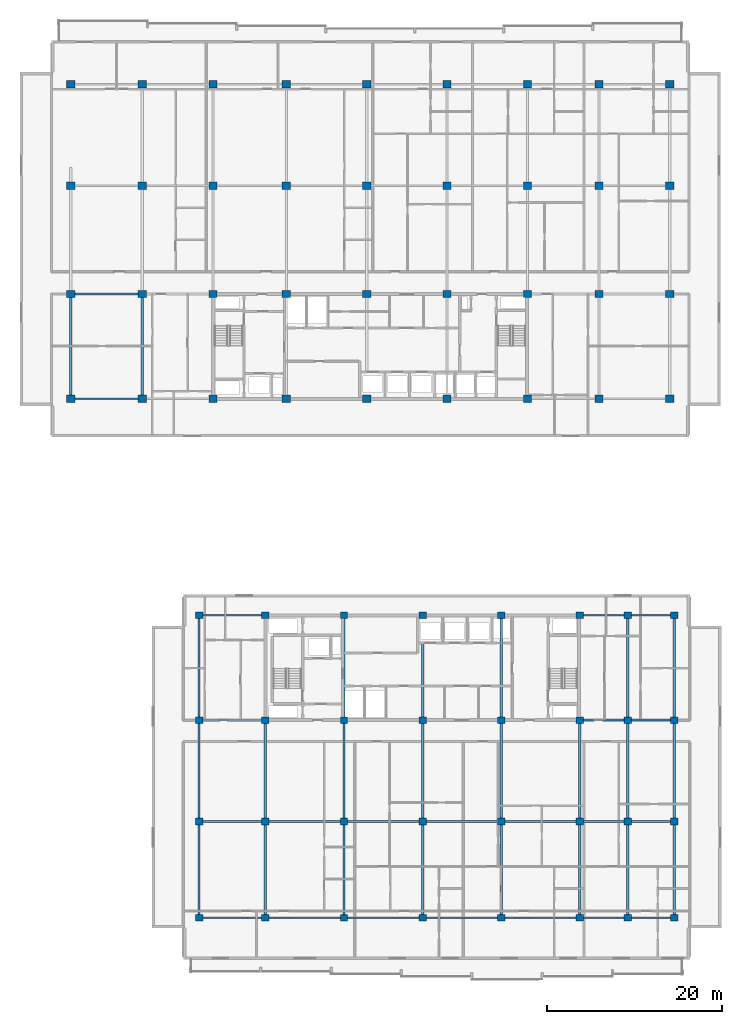
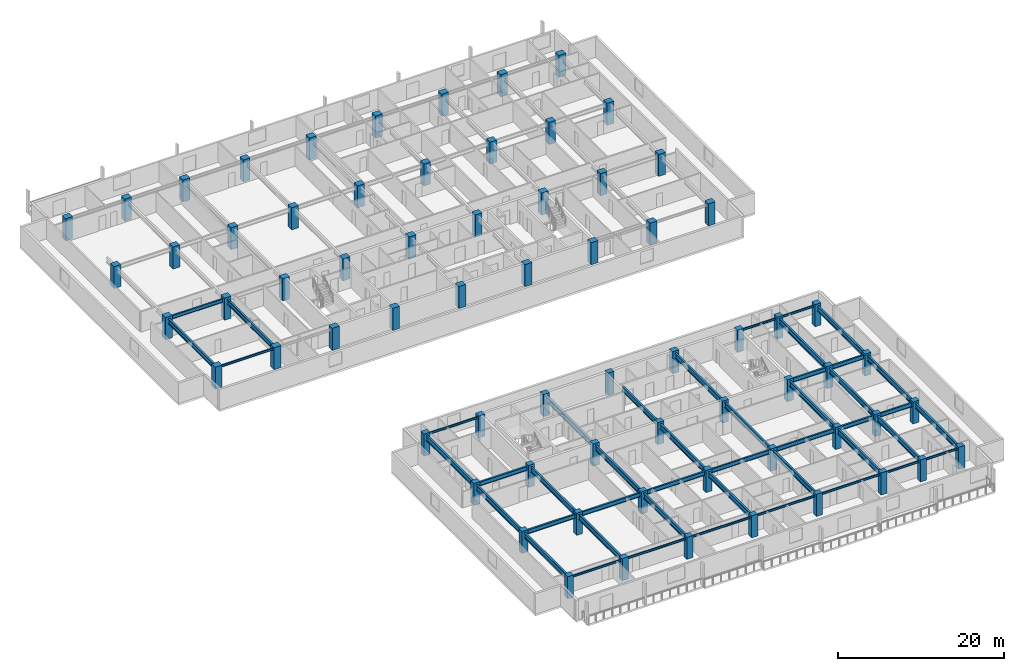
# One storey, part 1 of 21: 68 columns, 46 beams.
"""IFC4 building model written with IfcOpenShell, lengths in metres."""

from ifc_helpers import new_model, si_unit, direction, frame, origin, origin_2d, place, context, subcontext, project, spatial, rectangle, i_section, extrude, material, material_profile, profile_set, type_object, element, save


model = new_model("IFC4")

# Units and contexts
model_context = context("Model", 3, precision=1e-05, world=origin(), true_north=direction((0.0, 1.0)))
body_context = subcontext(model_context, "Body", "Model", "MODEL_VIEW")
ifc_project = project(units=[si_unit("LENGTHUNIT", "METRE"), si_unit("AREAUNIT", "SQUARE_METRE"), si_unit("VOLUMEUNIT", "CUBIC_METRE"), si_unit("PLANEANGLEUNIT", "RADIAN"), si_unit("MASSUNIT", "GRAM", prefix="KILO")], contexts=[model_context])

# Site, building, storey
site_placement = place(None, origin())
site = spatial("IfcSite", under=ifc_project, at=site_placement, CompositionType="ELEMENT")
building_placement = place(site_placement, origin())
building = spatial("IfcBuilding", under=site, at=building_placement, Name="Korimba Cascade Residences", CompositionType="ELEMENT")
storey_placement = place(building_placement, frame((0.0, 0.0, 113.300048828125)))
storey = spatial("IfcBuildingStorey", under=building, at=storey_placement, Name="L32", CompositionType="ELEMENT", Elevation=113.300048828125)

# Columns
ifc_material_1 = material(Name="Concrete C65/80", Category="concrete")
ifc_material_profile_1 = material_profile(ifc_material_1, rectangle(XDim=0.85009765625, YDim=0.75, at=origin_2d()), Name="Concrete C65/80")
ifc_profile_set_1 = profile_set([ifc_material_profile_1], Name="Concrete C65/80")
column_type_1 = type_object("IfcColumnType", Name="COL-RC-850", PredefinedType="COLUMN", material=ifc_profile_set_1)
for number, where, z_axis, x_axis, name in (
    (1, (74.5, -4.199951171875, 0.0), (0.0, 0.0, 1.0), (1.0, 0.0, 0.0), "L32 Tower 2 Column 1.1"),
    (2, (74.5, 6.800048828125, 0.0), (0.0, 0.0, 1.0), (1.0, 0.0, 0.0), "L32 Tower 2 Column 1.2"),
    (3, (74.5, 18.39990234375, 0.0), (0.0, 0.0, 1.0), (1.0, 0.0, 0.0), "L32 Tower 2 Column 1.3"),
    (4, (74.5, 30.39990234375, 0.0), (0.0, 0.0, 1.0), (1.0, 0.0, 0.0), "L32 Tower 2 Column 1.4"),
    (5, (82.10009765625, -4.199951171875, 0.0), (0.0, 0.0, 1.0), (1.0, 0.0, 0.0), "L32 Tower 2 Column 2.1"),
    (6, (82.10009765625, 6.800048828125, 0.0), (0.0, 0.0, 1.0), (1.0, 0.0, 0.0), "L32 Tower 2 Column 2.2"),
    (7, (82.10009765625, 18.39990234375, 0.0), (0.0, 0.0, 1.0), (1.0, 0.0, 0.0), "L32 Tower 2 Column 2.3"),
    (8, (82.10009765625, 30.39990234375, 0.0), (0.0, 0.0, 1.0), (1.0, 0.0, 0.0), "L32 Tower 2 Column 2.4"),
    (9, (91.10009765625, -4.199951171875, 0.0), (0.0, 0.0, 1.0), (1.0, 0.0, 0.0), "L32 Tower 2 Column 3.1"),
    (10, (91.10009765625, 6.800048828125, 0.0), (0.0, 0.0, 1.0), (1.0, 0.0, 0.0), "L32 Tower 2 Column 3.2"),
    (11, (91.10009765625, 18.39990234375, 0.0), (0.0, 0.0, 1.0), (1.0, 0.0, 0.0), "L32 Tower 2 Column 3.3"),
    (12, (91.10009765625, 30.39990234375, 0.0), (0.0, 0.0, 1.0), (1.0, 0.0, 0.0), "L32 Tower 2 Column 3.4"),
    (13, (100.10009765625, -4.199951171875, 0.0), (0.0, 0.0, 1.0), (1.0, 0.0, 0.0), "L32 Tower 2 Column 4.1"),
    (14, (100.10009765625, 6.800048828125, 0.0), (0.0, 0.0, 1.0), (1.0, 0.0, 0.0), "L32 Tower 2 Column 4.2"),
    (15, (100.10009765625, 18.39990234375, 0.0), (0.0, 0.0, 1.0), (1.0, 0.0, 0.0), "L32 Tower 2 Column 4.3"),
    (16, (100.10009765625, 30.39990234375, 0.0), (0.0, 0.0, 1.0), (1.0, 0.0, 0.0), "L32 Tower 2 Column 4.4"),
    (17, (109.10009765625, -4.199951171875, 0.0), (0.0, 0.0, 1.0), (1.0, 0.0, 0.0), "L32 Tower 2 Column 5.1"),
    (18, (109.10009765625, 6.800048828125, 0.0), (0.0, 0.0, 1.0), (1.0, 0.0, 0.0), "L32 Tower 2 Column 5.2"),
    (19, (109.10009765625, 18.39990234375, 0.0), (0.0, 0.0, 1.0), (1.0, 0.0, 0.0), "L32 Tower 2 Column 5.3"),
    (20, (109.10009765625, 30.39990234375, 0.0), (0.0, 0.0, 1.0), (1.0, 0.0, 0.0), "L32 Tower 2 Column 5.4"),
    (21, (118.10009765625, -4.199951171875, 0.0), (0.0, 0.0, 1.0), (1.0, 0.0, 0.0), "L32 Tower 2 Column 6.1"),
    (22, (118.10009765625, 6.800048828125, 0.0), (0.0, 0.0, 1.0), (1.0, 0.0, 0.0), "L32 Tower 2 Column 6.2"),
    (23, (118.10009765625, 18.39990234375, 0.0), (0.0, 0.0, 1.0), (1.0, 0.0, 0.0), "L32 Tower 2 Column 6.3"),
    (24, (118.10009765625, 30.39990234375, 0.0), (0.0, 0.0, 1.0), (1.0, 0.0, 0.0), "L32 Tower 2 Column 6.4"),
    (25, (123.60009765625, -4.199951171875, 0.0), (0.0, 0.0, 1.0), (1.0, 0.0, 0.0), "L32 Tower 2 Column 7.1"),
    (26, (123.60009765625, 6.800048828125, 0.0), (0.0, 0.0, 1.0), (1.0, 0.0, 0.0), "L32 Tower 2 Column 7.2"),
    (27, (123.60009765625, 18.39990234375, 0.0), (0.0, 0.0, 1.0), (1.0, 0.0, 0.0), "L32 Tower 2 Column 7.3"),
    (28, (123.60009765625, 30.39990234375, 0.0), (0.0, 0.0, 1.0), (1.0, 0.0, 0.0), "L32 Tower 2 Column 7.4"),
    (29, (128.89990234375, -4.199951171875, 0.0), (0.0, 0.0, 1.0), (1.0, 0.0, 0.0), "L32 Tower 2 Column 8.1"),
    (30, (128.89990234375, 6.800048828125, 0.0), (0.0, 0.0, 1.0), (1.0, 0.0, 0.0), "L32 Tower 2 Column 8.2"),
    (31, (128.89990234375, 18.39990234375, 0.0), (0.0, 0.0, 1.0), (1.0, 0.0, 0.0), "L32 Tower 2 Column 8.3"),
    (32, (128.89990234375, 30.39990234375, 0.0), (0.0, 0.0, 1.0), (1.0, 0.0, 0.0), "L32 Tower 2 Column 8.4"),
):
    element("IfcColumn", number, at=place(storey_placement, frame(where, z_axis=z_axis, x_axis=x_axis)), inside=storey, type_object=column_type_1, Name=name, PredefinedType="COLUMN", context=body_context, shape_type="SweptSolid", body=[
        extrude(rectangle(XDim=0.85009765625, YDim=0.75, at=origin_2d()), origin(), (0.0, 0.0, 1.0), 3.25),
    ])
ifc_material_profile_2 = material_profile(ifc_material_1, rectangle(XDim=0.949951171875, YDim=0.85009765625, at=origin_2d()), Name="Concrete C65/80")
ifc_profile_set_2 = profile_set([ifc_material_profile_2], Name="Concrete C65/80")
column_type_2 = type_object("IfcColumnType", Name="COL-RC-950", PredefinedType="COLUMN", material=ifc_profile_set_2)
for number, where, z_axis, x_axis, name in (
    (33, (59.800048828125, 55.199951171875, 0.0), (0.0, 0.0, 1.0), (1.0, 0.0, 0.0), "L32 Tower 1 Column 1.1"),
    (34, (59.800048828125, 67.199951171875, 0.0), (0.0, 0.0, 1.0), (1.0, 0.0, 0.0), "L32 Tower 1 Column 1.2"),
    (35, (59.800048828125, 79.60009765625, 0.0), (0.0, 0.0, 1.0), (1.0, 0.0, 0.0), "L32 Tower 1 Column 1.3"),
    (36, (59.800048828125, 91.199951171875, 0.0), (0.0, 0.0, 1.0), (1.0, 0.0, 0.0), "L32 Tower 1 Column 1.4"),
    (37, (68.0, 55.199951171875, 0.0), (0.0, 0.0, 1.0), (1.0, 0.0, 0.0), "L32 Tower 1 Column 2.1"),
    (38, (68.0, 67.199951171875, 0.0), (0.0, 0.0, 1.0), (1.0, 0.0, 0.0), "L32 Tower 1 Column 2.2"),
    (39, (68.0, 79.60009765625, 0.0), (0.0, 0.0, 1.0), (1.0, 0.0, 0.0), "L32 Tower 1 Column 2.3"),
    (40, (68.0, 91.199951171875, 0.0), (0.0, 0.0, 1.0), (1.0, 0.0, 0.0), "L32 Tower 1 Column 2.4"),
    (41, (76.10009765625, 55.199951171875, 0.0), (0.0, 0.0, 1.0), (1.0, 0.0, 0.0), "L32 Tower 1 Column 3.1"),
    (42, (76.10009765625, 67.199951171875, 0.0), (0.0, 0.0, 1.0), (1.0, 0.0, 0.0), "L32 Tower 1 Column 3.2"),
    (43, (76.10009765625, 79.60009765625, 0.0), (0.0, 0.0, 1.0), (1.0, 0.0, 0.0), "L32 Tower 1 Column 3.3"),
    (44, (76.10009765625, 91.199951171875, 0.0), (0.0, 0.0, 1.0), (1.0, 0.0, 0.0), "L32 Tower 1 Column 3.4"),
    (45, (84.5, 55.199951171875, 0.0), (0.0, 0.0, 1.0), (1.0, 0.0, 0.0), "L32 Tower 1 Column 4.1"),
    (46, (84.5, 67.199951171875, 0.0), (0.0, 0.0, 1.0), (1.0, 0.0, 0.0), "L32 Tower 1 Column 4.2"),
    (47, (84.5, 79.60009765625, 0.0), (0.0, 0.0, 1.0), (1.0, 0.0, 0.0), "L32 Tower 1 Column 4.3"),
    (48, (84.5, 91.199951171875, 0.0), (0.0, 0.0, 1.0), (1.0, 0.0, 0.0), "L32 Tower 1 Column 4.4"),
    (49, (93.699951171875, 55.199951171875, 0.0), (0.0, 0.0, 1.0), (1.0, 0.0, 0.0), "L32 Tower 1 Column 5.1"),
    (50, (93.699951171875, 67.199951171875, 0.0), (0.0, 0.0, 1.0), (1.0, 0.0, 0.0), "L32 Tower 1 Column 5.2"),
    (51, (93.699951171875, 79.60009765625, 0.0), (0.0, 0.0, 1.0), (1.0, 0.0, 0.0), "L32 Tower 1 Column 5.3"),
    (52, (93.699951171875, 91.199951171875, 0.0), (0.0, 0.0, 1.0), (1.0, 0.0, 0.0), "L32 Tower 1 Column 5.4"),
    (53, (102.89990234375, 55.199951171875, 0.0), (0.0, 0.0, 1.0), (1.0, 0.0, 0.0), "L32 Tower 1 Column 6.1"),
    (54, (102.89990234375, 67.199951171875, 0.0), (0.0, 0.0, 1.0), (1.0, 0.0, 0.0), "L32 Tower 1 Column 6.2"),
    (55, (102.89990234375, 79.60009765625, 0.0), (0.0, 0.0, 1.0), (1.0, 0.0, 0.0), "L32 Tower 1 Column 6.3"),
    (56, (102.89990234375, 91.199951171875, 0.0), (0.0, 0.0, 1.0), (1.0, 0.0, 0.0), "L32 Tower 1 Column 6.4"),
    (57, (112.10009765625, 55.199951171875, 0.0), (0.0, 0.0, 1.0), (1.0, 0.0, 0.0), "L32 Tower 1 Column 7.1"),
    (58, (112.10009765625, 67.199951171875, 0.0), (0.0, 0.0, 1.0), (1.0, 0.0, 0.0), "L32 Tower 1 Column 7.2"),
    (59, (112.10009765625, 79.60009765625, 0.0), (0.0, 0.0, 1.0), (1.0, 0.0, 0.0), "L32 Tower 1 Column 7.3"),
    (60, (112.10009765625, 91.199951171875, 0.0), (0.0, 0.0, 1.0), (1.0, 0.0, 0.0), "L32 Tower 1 Column 7.4"),
    (61, (120.300048828125, 55.199951171875, 0.0), (0.0, 0.0, 1.0), (1.0, 0.0, 0.0), "L32 Tower 1 Column 8.1"),
    (62, (120.300048828125, 67.199951171875, 0.0), (0.0, 0.0, 1.0), (1.0, 0.0, 0.0), "L32 Tower 1 Column 8.2"),
    (63, (120.300048828125, 79.60009765625, 0.0), (0.0, 0.0, 1.0), (1.0, 0.0, 0.0), "L32 Tower 1 Column 8.3"),
    (64, (120.300048828125, 91.199951171875, 0.0), (0.0, 0.0, 1.0), (1.0, 0.0, 0.0), "L32 Tower 1 Column 8.4"),
    (65, (128.39990234375, 55.199951171875, 0.0), (0.0, 0.0, 1.0), (1.0, 0.0, 0.0), "L32 Tower 1 Column 9.1"),
    (66, (128.39990234375, 67.199951171875, 0.0), (0.0, 0.0, 1.0), (1.0, 0.0, 0.0), "L32 Tower 1 Column 9.2"),
    (67, (128.39990234375, 79.60009765625, 0.0), (0.0, 0.0, 1.0), (1.0, 0.0, 0.0), "L32 Tower 1 Column 9.3"),
    (68, (128.39990234375, 91.199951171875, 0.0), (0.0, 0.0, 1.0), (1.0, 0.0, 0.0), "L32 Tower 1 Column 9.4"),
):
    element("IfcColumn", number, at=place(storey_placement, frame(where, z_axis=z_axis, x_axis=x_axis)), inside=storey, type_object=column_type_2, Name=name, PredefinedType="COLUMN", context=body_context, shape_type="SweptSolid", body=[
        extrude(rectangle(XDim=0.949951171875, YDim=0.85009765625, at=origin_2d()), origin(), (0.0, 0.0, 1.0), 3.25),
    ])

# Beams
ifc_material_2 = material(Name="Steel S355", Category="steel")
ifc_material_profile_3 = material_profile(ifc_material_2, i_section(OverallWidth=0.165771484375, OverallDepth=0.306640625, WebThickness=0.006591796875, FlangeThickness=0.01171875, FilletRadius=0.0087890625, at=origin_2d()), Name="Steel S355")
ifc_profile_set_3 = profile_set([ifc_material_profile_3], Name="Steel S355")
beam_type_1 = type_object("IfcBeamType", Name="BM-STL-UB305", PredefinedType="SPANDREL", material=ifc_profile_set_3)
beam_1_placement = place(storey_placement, frame((60.27490234375, 55.199951171875, 2.816650390625), z_axis=(1.0, 0.0, 0.0), x_axis=(0.0, 1.0, 0.0)))
element("IfcBeam", 69, at=beam_1_placement, inside=storey, type_object=beam_type_1, Name="L32 T1 E-W Girder Y1 Bay 1", PredefinedType="SPANDREL", context=body_context, shape_type="SweptSolid", body=[
    extrude(i_section(OverallWidth=0.165771484375, OverallDepth=0.306640625, WebThickness=0.006591796875, FlangeThickness=0.01171875, FilletRadius=0.0087890625, at=origin_2d()), origin(), (0.0, 0.0, 1.0), 7.25),
])
beam_2_placement = place(storey_placement, frame((74.925048828125, -4.199951171875, 2.816650390625), z_axis=(1.0, 0.0, 0.0), x_axis=(0.0, 1.0, 0.0)))
element("IfcBeam", 70, at=beam_2_placement, inside=storey, type_object=beam_type_1, Name="L32 T2 E-W Girder Y1 Bay 1", PredefinedType="SPANDREL", context=body_context, shape_type="SweptSolid", body=[
    extrude(i_section(OverallWidth=0.165771484375, OverallDepth=0.306640625, WebThickness=0.006591796875, FlangeThickness=0.01171875, FilletRadius=0.0087890625, at=origin_2d()), origin(), (0.0, 0.0, 1.0), 6.75),
])
for number, where, z_axis, x_axis, name in (
    (71, (82.52490234375, -4.199951171875, 2.816650390625), (1.0, 0.0, 0.0), (0.0, 1.0, 0.0), "L32 T2 E-W Girder Y1 Bay 2"),
    (72, (91.52490234375, -4.199951171875, 2.816650390625), (1.0, 0.0, 0.0), (0.0, 1.0, 0.0), "L32 T2 E-W Girder Y1 Bay 3"),
    (73, (100.52490234375, -4.199951171875, 2.816650390625), (1.0, 0.0, 0.0), (0.0, 1.0, 0.0), "L32 T2 E-W Girder Y1 Bay 4"),
    (74, (109.52490234375, -4.199951171875, 2.816650390625), (1.0, 0.0, 0.0), (0.0, 1.0, 0.0), "L32 T2 E-W Girder Y1 Bay 5"),
):
    element("IfcBeam", number, at=place(storey_placement, frame(where, z_axis=z_axis, x_axis=x_axis)), inside=storey, type_object=beam_type_1, Name=name, PredefinedType="SPANDREL", context=body_context, shape_type="SweptSolid", body=[
        extrude(i_section(OverallWidth=0.165771484375, OverallDepth=0.306640625, WebThickness=0.006591796875, FlangeThickness=0.01171875, FilletRadius=0.0087890625, at=origin_2d()), origin(), (0.0, 0.0, 1.0), 8.150146484375),
    ])
beam_3_placement = place(storey_placement, frame((118.52490234375, -4.199951171875, 2.816650390625), z_axis=(1.0, 0.0, 0.0), x_axis=(0.0, 1.0, 0.0)))
element("IfcBeam", 75, at=beam_3_placement, inside=storey, type_object=beam_type_1, Name="L32 T2 E-W Girder Y1 Bay 6", PredefinedType="SPANDREL", context=body_context, shape_type="SweptSolid", body=[
    extrude(i_section(OverallWidth=0.165771484375, OverallDepth=0.306640625, WebThickness=0.006591796875, FlangeThickness=0.01171875, FilletRadius=0.0087890625, at=origin_2d()), origin(), (0.0, 0.0, 1.0), 4.650146484375),
])
beam_4_placement = place(storey_placement, frame((124.02490234375, -4.199951171875, 2.816650390625), z_axis=(1.0, 0.0, 0.0), x_axis=(0.0, 1.0, 0.0)))
element("IfcBeam", 76, at=beam_4_placement, inside=storey, type_object=beam_type_1, Name="L32 T2 E-W Girder Y1 Bay 7", PredefinedType="SPANDREL", context=body_context, shape_type="SweptSolid", body=[
    extrude(i_section(OverallWidth=0.165771484375, OverallDepth=0.306640625, WebThickness=0.006591796875, FlangeThickness=0.01171875, FilletRadius=0.0087890625, at=origin_2d()), origin(), (0.0, 0.0, 1.0), 4.4501953125),
])
beam_5_placement = place(storey_placement, frame((74.925048828125, 30.39990234375, 2.816650390625), z_axis=(1.0, 0.0, 0.0), x_axis=(0.0, 1.0, 0.0)))
element("IfcBeam", 77, at=beam_5_placement, inside=storey, type_object=beam_type_1, Name="L32 T2 E-W Girder Y4 Bay 1", PredefinedType="SPANDREL", context=body_context, shape_type="SweptSolid", body=[
    extrude(i_section(OverallWidth=0.165771484375, OverallDepth=0.306640625, WebThickness=0.006591796875, FlangeThickness=0.01171875, FilletRadius=0.0087890625, at=origin_2d()), origin(), (0.0, 0.0, 1.0), 6.75),
])
beam_6_placement = place(storey_placement, frame((118.52490234375, 30.39990234375, 2.816650390625), z_axis=(1.0, 0.0, 0.0), x_axis=(0.0, 1.0, 0.0)))
element("IfcBeam", 78, at=beam_6_placement, inside=storey, type_object=beam_type_1, Name="L32 T2 E-W Girder Y4 Bay 6", PredefinedType="SPANDREL", context=body_context, shape_type="SweptSolid", body=[
    extrude(i_section(OverallWidth=0.165771484375, OverallDepth=0.306640625, WebThickness=0.006591796875, FlangeThickness=0.01171875, FilletRadius=0.0087890625, at=origin_2d()), origin(), (0.0, 0.0, 1.0), 4.650146484375),
])
beam_7_placement = place(storey_placement, frame((124.02490234375, 30.39990234375, 2.816650390625), z_axis=(1.0, 0.0, 0.0), x_axis=(0.0, 1.0, 0.0)))
element("IfcBeam", 79, at=beam_7_placement, inside=storey, type_object=beam_type_1, Name="L32 T2 E-W Girder Y4 Bay 7", PredefinedType="SPANDREL", context=body_context, shape_type="SweptSolid", body=[
    extrude(i_section(OverallWidth=0.165771484375, OverallDepth=0.306640625, WebThickness=0.006591796875, FlangeThickness=0.01171875, FilletRadius=0.0087890625, at=origin_2d()), origin(), (0.0, 0.0, 1.0), 4.4501953125),
])
ifc_material_profile_4 = material_profile(ifc_material_2, i_section(OverallWidth=0.2099609375, OverallDepth=0.53662109375, WebThickness=0.0107421875, FlangeThickness=0.017333984375, FilletRadius=0.0126953125, at=origin_2d()), Name="Steel S355")
ifc_profile_set_4 = profile_set([ifc_material_profile_4], Name="Steel S355")
beam_type_2 = type_object("IfcBeamType", Name="BM-STL-UB533", PredefinedType="BEAM", material=ifc_profile_set_4)
beam_8_placement = place(storey_placement, frame((60.27490234375, 67.199951171875, 2.70166015625), z_axis=(1.0, 0.0, 0.0), x_axis=(0.0, 1.0, 0.0)))
element("IfcBeam", 80, at=beam_8_placement, inside=storey, type_object=beam_type_2, Name="L32 T1 E-W Girder Y2 Bay 1", PredefinedType="BEAM", context=body_context, shape_type="SweptSolid", body=[
    extrude(i_section(OverallWidth=0.2099609375, OverallDepth=0.53662109375, WebThickness=0.0107421875, FlangeThickness=0.017333984375, FilletRadius=0.0126953125, at=origin_2d()), origin(), (0.0, 0.0, 1.0), 7.25),
])
ifc_material_profile_5 = material_profile(ifc_material_2, i_section(OverallWidth=0.22900390625, OverallDepth=0.6123046875, WebThickness=0.011962890625, FlangeThickness=0.01953125, FilletRadius=0.0126953125, at=origin_2d()), Name="Steel S355")
ifc_profile_set_5 = profile_set([ifc_material_profile_5], Name="Steel S355")
beam_type_3 = type_object("IfcBeamType", Name="BM-STL-UB610B", PredefinedType="BEAM", material=ifc_profile_set_5)
beam_9_placement = place(storey_placement, frame((74.925048828125, 6.800048828125, 2.663818359375), z_axis=(1.0, 0.0, 0.0), x_axis=(0.0, 1.0, 0.0)))
element("IfcBeam", 81, at=beam_9_placement, inside=storey, type_object=beam_type_3, Name="L32 T2 E-W Girder Y2 Bay 1", PredefinedType="BEAM", context=body_context, shape_type="SweptSolid", body=[
    extrude(i_section(OverallWidth=0.22900390625, OverallDepth=0.6123046875, WebThickness=0.011962890625, FlangeThickness=0.01953125, FilletRadius=0.0126953125, at=origin_2d()), origin(), (0.0, 0.0, 1.0), 6.75),
])
for number, where, z_axis, x_axis, name in (
    (82, (82.52490234375, 6.800048828125, 2.663818359375), (1.0, 0.0, 0.0), (0.0, 1.0, 0.0), "L32 T2 E-W Girder Y2 Bay 2"),
    (83, (91.52490234375, 6.800048828125, 2.663818359375), (1.0, 0.0, 0.0), (0.0, 1.0, 0.0), "L32 T2 E-W Girder Y2 Bay 3"),
    (84, (100.52490234375, 6.800048828125, 2.663818359375), (1.0, 0.0, 0.0), (0.0, 1.0, 0.0), "L32 T2 E-W Girder Y2 Bay 4"),
    (85, (109.52490234375, 6.800048828125, 2.663818359375), (1.0, 0.0, 0.0), (0.0, 1.0, 0.0), "L32 T2 E-W Girder Y2 Bay 5"),
):
    element("IfcBeam", number, at=place(storey_placement, frame(where, z_axis=z_axis, x_axis=x_axis)), inside=storey, type_object=beam_type_3, Name=name, PredefinedType="BEAM", context=body_context, shape_type="SweptSolid", body=[
        extrude(i_section(OverallWidth=0.22900390625, OverallDepth=0.6123046875, WebThickness=0.011962890625, FlangeThickness=0.01953125, FilletRadius=0.0126953125, at=origin_2d()), origin(), (0.0, 0.0, 1.0), 8.150146484375),
    ])
beam_10_placement = place(storey_placement, frame((118.52490234375, 6.800048828125, 2.663818359375), z_axis=(1.0, 0.0, 0.0), x_axis=(0.0, 1.0, 0.0)))
element("IfcBeam", 86, at=beam_10_placement, inside=storey, type_object=beam_type_3, Name="L32 T2 E-W Girder Y2 Bay 6", PredefinedType="BEAM", context=body_context, shape_type="SweptSolid", body=[
    extrude(i_section(OverallWidth=0.22900390625, OverallDepth=0.6123046875, WebThickness=0.011962890625, FlangeThickness=0.01953125, FilletRadius=0.0126953125, at=origin_2d()), origin(), (0.0, 0.0, 1.0), 4.650146484375),
])
beam_11_placement = place(storey_placement, frame((124.02490234375, 6.800048828125, 2.663818359375), z_axis=(1.0, 0.0, 0.0), x_axis=(0.0, 1.0, 0.0)))
element("IfcBeam", 87, at=beam_11_placement, inside=storey, type_object=beam_type_3, Name="L32 T2 E-W Girder Y2 Bay 7", PredefinedType="BEAM", context=body_context, shape_type="SweptSolid", body=[
    extrude(i_section(OverallWidth=0.22900390625, OverallDepth=0.6123046875, WebThickness=0.011962890625, FlangeThickness=0.01953125, FilletRadius=0.0126953125, at=origin_2d()), origin(), (0.0, 0.0, 1.0), 4.4501953125),
])
beam_12_placement = place(storey_placement, frame((74.925048828125, 18.39990234375, 2.663818359375), z_axis=(1.0, 0.0, 0.0), x_axis=(0.0, 1.0, 0.0)))
element("IfcBeam", 88, at=beam_12_placement, inside=storey, type_object=beam_type_3, Name="L32 T2 E-W Girder Y3 Bay 1", PredefinedType="BEAM", context=body_context, shape_type="SweptSolid", body=[
    extrude(i_section(OverallWidth=0.22900390625, OverallDepth=0.6123046875, WebThickness=0.011962890625, FlangeThickness=0.01953125, FilletRadius=0.0126953125, at=origin_2d()), origin(), (0.0, 0.0, 1.0), 6.75),
])
beam_13_placement = place(storey_placement, frame((118.52490234375, 18.39990234375, 2.663818359375), z_axis=(1.0, 0.0, 0.0), x_axis=(0.0, 1.0, 0.0)))
element("IfcBeam", 89, at=beam_13_placement, inside=storey, type_object=beam_type_3, Name="L32 T2 E-W Girder Y3 Bay 6", PredefinedType="BEAM", context=body_context, shape_type="SweptSolid", body=[
    extrude(i_section(OverallWidth=0.22900390625, OverallDepth=0.6123046875, WebThickness=0.011962890625, FlangeThickness=0.01953125, FilletRadius=0.0126953125, at=origin_2d()), origin(), (0.0, 0.0, 1.0), 4.650146484375),
])
beam_14_placement = place(storey_placement, frame((124.02490234375, 18.39990234375, 2.663818359375), z_axis=(1.0, 0.0, 0.0), x_axis=(0.0, 1.0, 0.0)))
element("IfcBeam", 90, at=beam_14_placement, inside=storey, type_object=beam_type_3, Name="L32 T2 E-W Girder Y3 Bay 7", PredefinedType="BEAM", context=body_context, shape_type="SweptSolid", body=[
    extrude(i_section(OverallWidth=0.22900390625, OverallDepth=0.6123046875, WebThickness=0.011962890625, FlangeThickness=0.01953125, FilletRadius=0.0126953125, at=origin_2d()), origin(), (0.0, 0.0, 1.0), 4.4501953125),
])
ifc_material_profile_6 = material_profile(ifc_material_2, i_section(OverallWidth=0.255859375, OverallDepth=0.69287109375, WebThickness=0.014404296875, FlangeThickness=0.023681640625, FilletRadius=0.01513671875, at=origin_2d()), Name="Steel S355")
ifc_profile_set_6 = profile_set([ifc_material_profile_6], Name="Steel S355")
beam_type_4 = type_object("IfcBeamType", Name="BM-STL-UB686", PredefinedType="BEAM", material=ifc_profile_set_6)
for number, where, z_axis, x_axis, name in (
    (91, (59.800048828125, 55.625, 2.62353515625), (0.0, 1.0, 0.0), (-1.0, 0.0, 0.0), "L32 T1 N-S Girder X1 Seg 1"),
    (92, (68.0, 55.625, 2.62353515625), (0.0, 1.0, 0.0), (-1.0, 0.0, 0.0), "L32 T1 N-S Girder X2 Seg 1"),
):
    element("IfcBeam", number, at=place(storey_placement, frame(where, z_axis=z_axis, x_axis=x_axis)), inside=storey, type_object=beam_type_4, Name=name, PredefinedType="BEAM", context=body_context, shape_type="SweptSolid", body=[
        extrude(i_section(OverallWidth=0.255859375, OverallDepth=0.69287109375, WebThickness=0.014404296875, FlangeThickness=0.023681640625, FilletRadius=0.01513671875, at=origin_2d()), origin(), (0.0, 0.0, 1.0), 11.14990234375),
    ])
ifc_material_profile_7 = material_profile(ifc_material_2, i_section(OverallWidth=0.26806640625, OverallDepth=0.769775390625, WebThickness=0.015625, FlangeThickness=0.025390625, FilletRadius=0.0166015625, at=origin_2d()), Name="Steel S355")
ifc_profile_set_7 = profile_set([ifc_material_profile_7], Name="Steel S355")
beam_type_5 = type_object("IfcBeamType", Name="BM-STL-UB762", PredefinedType="BEAM", material=ifc_profile_set_7)
beam_15_placement = place(storey_placement, frame((74.5, -3.824951171875, 2.5849609375), z_axis=(0.0, 1.0, 0.0), x_axis=(-1.0, 0.0, 0.0)))
element("IfcBeam", 93, at=beam_15_placement, inside=storey, type_object=beam_type_5, Name="L32 T2 N-S Girder X1 Seg 1", PredefinedType="BEAM", context=body_context, shape_type="SweptSolid", body=[
    extrude(i_section(OverallWidth=0.26806640625, OverallDepth=0.769775390625, WebThickness=0.015625, FlangeThickness=0.025390625, FilletRadius=0.0166015625, at=origin_2d()), origin(), (0.0, 0.0, 1.0), 10.25),
])
beam_16_placement = place(storey_placement, frame((74.5, 7.175048828125, 2.5849609375), z_axis=(0.0, 1.0, 0.0), x_axis=(-1.0, 0.0, 0.0)))
element("IfcBeam", 94, at=beam_16_placement, inside=storey, type_object=beam_type_5, Name="L32 T2 N-S Girder X1 Seg 2", PredefinedType="BEAM", context=body_context, shape_type="SweptSolid", body=[
    extrude(i_section(OverallWidth=0.26806640625, OverallDepth=0.769775390625, WebThickness=0.015625, FlangeThickness=0.025390625, FilletRadius=0.0166015625, at=origin_2d()), origin(), (0.0, 0.0, 1.0), 10.849853515625),
])
beam_17_placement = place(storey_placement, frame((74.5, 18.77490234375, 2.5849609375), z_axis=(0.0, 1.0, 0.0), x_axis=(-1.0, 0.0, 0.0)))
element("IfcBeam", 95, at=beam_17_placement, inside=storey, type_object=beam_type_5, Name="L32 T2 N-S Girder X1 Seg 3", PredefinedType="BEAM", context=body_context, shape_type="SweptSolid", body=[
    extrude(i_section(OverallWidth=0.26806640625, OverallDepth=0.769775390625, WebThickness=0.015625, FlangeThickness=0.025390625, FilletRadius=0.0166015625, at=origin_2d()), origin(), (0.0, 0.0, 1.0), 11.25),
])
beam_18_placement = place(storey_placement, frame((82.10009765625, -3.824951171875, 2.5849609375), z_axis=(0.0, 1.0, 0.0), x_axis=(-1.0, 0.0, 0.0)))
element("IfcBeam", 96, at=beam_18_placement, inside=storey, type_object=beam_type_5, Name="L32 T2 N-S Girder X2 Seg 1", PredefinedType="BEAM", context=body_context, shape_type="SweptSolid", body=[
    extrude(i_section(OverallWidth=0.26806640625, OverallDepth=0.769775390625, WebThickness=0.015625, FlangeThickness=0.025390625, FilletRadius=0.0166015625, at=origin_2d()), origin(), (0.0, 0.0, 1.0), 10.25),
])
beam_19_placement = place(storey_placement, frame((82.10009765625, 7.175048828125, 2.5849609375), z_axis=(0.0, 1.0, 0.0), x_axis=(-1.0, 0.0, 0.0)))
element("IfcBeam", 97, at=beam_19_placement, inside=storey, type_object=beam_type_5, Name="L32 T2 N-S Girder X2 Seg 2", PredefinedType="BEAM", context=body_context, shape_type="SweptSolid", body=[
    extrude(i_section(OverallWidth=0.26806640625, OverallDepth=0.769775390625, WebThickness=0.015625, FlangeThickness=0.025390625, FilletRadius=0.0166015625, at=origin_2d()), origin(), (0.0, 0.0, 1.0), 10.849853515625),
])
beam_20_placement = place(storey_placement, frame((91.10009765625, -3.824951171875, 2.5849609375), z_axis=(0.0, 1.0, 0.0), x_axis=(-1.0, 0.0, 0.0)))
element("IfcBeam", 98, at=beam_20_placement, inside=storey, type_object=beam_type_5, Name="L32 T2 N-S Girder X3 Seg 1", PredefinedType="BEAM", context=body_context, shape_type="SweptSolid", body=[
    extrude(i_section(OverallWidth=0.26806640625, OverallDepth=0.769775390625, WebThickness=0.015625, FlangeThickness=0.025390625, FilletRadius=0.0166015625, at=origin_2d()), origin(), (0.0, 0.0, 1.0), 10.25),
])
beam_21_placement = place(storey_placement, frame((91.10009765625, 7.175048828125, 2.5849609375), z_axis=(0.0, 1.0, 0.0), x_axis=(-1.0, 0.0, 0.0)))
element("IfcBeam", 99, at=beam_21_placement, inside=storey, type_object=beam_type_5, Name="L32 T2 N-S Girder X3 Seg 2", PredefinedType="BEAM", context=body_context, shape_type="SweptSolid", body=[
    extrude(i_section(OverallWidth=0.26806640625, OverallDepth=0.769775390625, WebThickness=0.015625, FlangeThickness=0.025390625, FilletRadius=0.0166015625, at=origin_2d()), origin(), (0.0, 0.0, 1.0), 10.849853515625),
])
beam_22_placement = place(storey_placement, frame((91.10009765625, 18.77490234375, 2.5849609375), z_axis=(0.0, 1.0, 0.0), x_axis=(-1.0, 0.0, 0.0)))
element("IfcBeam", 100, at=beam_22_placement, inside=storey, type_object=beam_type_5, Name="L32 T2 N-S Girder X3 Seg 3", PredefinedType="BEAM", context=body_context, shape_type="SweptSolid", body=[
    extrude(i_section(OverallWidth=0.26806640625, OverallDepth=0.769775390625, WebThickness=0.015625, FlangeThickness=0.025390625, FilletRadius=0.0166015625, at=origin_2d()), origin(), (0.0, 0.0, 1.0), 11.25),
])
beam_23_placement = place(storey_placement, frame((100.10009765625, -3.824951171875, 2.5849609375), z_axis=(0.0, 1.0, 0.0), x_axis=(-1.0, 0.0, 0.0)))
element("IfcBeam", 101, at=beam_23_placement, inside=storey, type_object=beam_type_5, Name="L32 T2 N-S Girder X4 Seg 1", PredefinedType="BEAM", context=body_context, shape_type="SweptSolid", body=[
    extrude(i_section(OverallWidth=0.26806640625, OverallDepth=0.769775390625, WebThickness=0.015625, FlangeThickness=0.025390625, FilletRadius=0.0166015625, at=origin_2d()), origin(), (0.0, 0.0, 1.0), 10.25),
])
beam_24_placement = place(storey_placement, frame((100.10009765625, 7.175048828125, 2.5849609375), z_axis=(0.0, 1.0, 0.0), x_axis=(-1.0, 0.0, 0.0)))
element("IfcBeam", 102, at=beam_24_placement, inside=storey, type_object=beam_type_5, Name="L32 T2 N-S Girder X4 Seg 2", PredefinedType="BEAM", context=body_context, shape_type="SweptSolid", body=[
    extrude(i_section(OverallWidth=0.26806640625, OverallDepth=0.769775390625, WebThickness=0.015625, FlangeThickness=0.025390625, FilletRadius=0.0166015625, at=origin_2d()), origin(), (0.0, 0.0, 1.0), 10.849853515625),
])
beam_25_placement = place(storey_placement, frame((100.10009765625, 18.77490234375, 2.5849609375), z_axis=(0.0, 1.0, 0.0), x_axis=(-1.0, 0.0, 0.0)))
element("IfcBeam", 103, at=beam_25_placement, inside=storey, type_object=beam_type_5, Name="L32 T2 N-S Girder X4 Seg 3", PredefinedType="BEAM", context=body_context, shape_type="SweptSolid", body=[
    extrude(i_section(OverallWidth=0.26806640625, OverallDepth=0.769775390625, WebThickness=0.015625, FlangeThickness=0.025390625, FilletRadius=0.0166015625, at=origin_2d()), origin(), (0.0, 0.0, 1.0), 8.565185546875),
])
beam_26_placement = place(storey_placement, frame((109.10009765625, -3.824951171875, 2.5849609375), z_axis=(0.0, 1.0, 0.0), x_axis=(-1.0, 0.0, 0.0)))
element("IfcBeam", 104, at=beam_26_placement, inside=storey, type_object=beam_type_5, Name="L32 T2 N-S Girder X5 Seg 1", PredefinedType="BEAM", context=body_context, shape_type="SweptSolid", body=[
    extrude(i_section(OverallWidth=0.26806640625, OverallDepth=0.769775390625, WebThickness=0.015625, FlangeThickness=0.025390625, FilletRadius=0.0166015625, at=origin_2d()), origin(), (0.0, 0.0, 1.0), 10.25),
])
beam_27_placement = place(storey_placement, frame((109.10009765625, 7.175048828125, 2.5849609375), z_axis=(0.0, 1.0, 0.0), x_axis=(-1.0, 0.0, 0.0)))
element("IfcBeam", 105, at=beam_27_placement, inside=storey, type_object=beam_type_5, Name="L32 T2 N-S Girder X5 Seg 2", PredefinedType="BEAM", context=body_context, shape_type="SweptSolid", body=[
    extrude(i_section(OverallWidth=0.26806640625, OverallDepth=0.769775390625, WebThickness=0.015625, FlangeThickness=0.025390625, FilletRadius=0.0166015625, at=origin_2d()), origin(), (0.0, 0.0, 1.0), 10.849853515625),
])
beam_28_placement = place(storey_placement, frame((109.10009765625, 18.77490234375, 2.5849609375), z_axis=(0.0, 1.0, 0.0), x_axis=(-1.0, 0.0, 0.0)))
element("IfcBeam", 106, at=beam_28_placement, inside=storey, type_object=beam_type_5, Name="L32 T2 N-S Girder X5 Seg 3", PredefinedType="BEAM", context=body_context, shape_type="SweptSolid", body=[
    extrude(i_section(OverallWidth=0.26806640625, OverallDepth=0.769775390625, WebThickness=0.015625, FlangeThickness=0.025390625, FilletRadius=0.0166015625, at=origin_2d()), origin(), (0.0, 0.0, 1.0), 11.25),
])
beam_29_placement = place(storey_placement, frame((118.10009765625, -3.824951171875, 2.5849609375), z_axis=(0.0, 1.0, 0.0), x_axis=(-1.0, 0.0, 0.0)))
element("IfcBeam", 107, at=beam_29_placement, inside=storey, type_object=beam_type_5, Name="L32 T2 N-S Girder X6 Seg 1", PredefinedType="BEAM", context=body_context, shape_type="SweptSolid", body=[
    extrude(i_section(OverallWidth=0.26806640625, OverallDepth=0.769775390625, WebThickness=0.015625, FlangeThickness=0.025390625, FilletRadius=0.0166015625, at=origin_2d()), origin(), (0.0, 0.0, 1.0), 10.25),
])
beam_30_placement = place(storey_placement, frame((118.10009765625, 7.175048828125, 2.5849609375), z_axis=(0.0, 1.0, 0.0), x_axis=(-1.0, 0.0, 0.0)))
element("IfcBeam", 108, at=beam_30_placement, inside=storey, type_object=beam_type_5, Name="L32 T2 N-S Girder X6 Seg 2", PredefinedType="BEAM", context=body_context, shape_type="SweptSolid", body=[
    extrude(i_section(OverallWidth=0.26806640625, OverallDepth=0.769775390625, WebThickness=0.015625, FlangeThickness=0.025390625, FilletRadius=0.0166015625, at=origin_2d()), origin(), (0.0, 0.0, 1.0), 10.849853515625),
])
beam_31_placement = place(storey_placement, frame((123.60009765625, -3.824951171875, 2.5849609375), z_axis=(0.0, 1.0, 0.0), x_axis=(-1.0, 0.0, 0.0)))
element("IfcBeam", 109, at=beam_31_placement, inside=storey, type_object=beam_type_5, Name="L32 T2 N-S Girder X7 Seg 1", PredefinedType="BEAM", context=body_context, shape_type="SweptSolid", body=[
    extrude(i_section(OverallWidth=0.26806640625, OverallDepth=0.769775390625, WebThickness=0.015625, FlangeThickness=0.025390625, FilletRadius=0.0166015625, at=origin_2d()), origin(), (0.0, 0.0, 1.0), 10.25),
])
beam_32_placement = place(storey_placement, frame((123.60009765625, 7.175048828125, 2.5849609375), z_axis=(0.0, 1.0, 0.0), x_axis=(-1.0, 0.0, 0.0)))
element("IfcBeam", 110, at=beam_32_placement, inside=storey, type_object=beam_type_5, Name="L32 T2 N-S Girder X7 Seg 2", PredefinedType="BEAM", context=body_context, shape_type="SweptSolid", body=[
    extrude(i_section(OverallWidth=0.26806640625, OverallDepth=0.769775390625, WebThickness=0.015625, FlangeThickness=0.025390625, FilletRadius=0.0166015625, at=origin_2d()), origin(), (0.0, 0.0, 1.0), 10.849853515625),
])
beam_33_placement = place(storey_placement, frame((123.60009765625, 18.77490234375, 2.5849609375), z_axis=(0.0, 1.0, 0.0), x_axis=(-1.0, 0.0, 0.0)))
element("IfcBeam", 111, at=beam_33_placement, inside=storey, type_object=beam_type_5, Name="L32 T2 N-S Girder X7 Seg 3", PredefinedType="BEAM", context=body_context, shape_type="SweptSolid", body=[
    extrude(i_section(OverallWidth=0.26806640625, OverallDepth=0.769775390625, WebThickness=0.015625, FlangeThickness=0.025390625, FilletRadius=0.0166015625, at=origin_2d()), origin(), (0.0, 0.0, 1.0), 11.25),
])
beam_34_placement = place(storey_placement, frame((128.89990234375, -3.824951171875, 2.5849609375), z_axis=(0.0, 1.0, 0.0), x_axis=(-1.0, 0.0, 0.0)))
element("IfcBeam", 112, at=beam_34_placement, inside=storey, type_object=beam_type_5, Name="L32 T2 N-S Girder X8 Seg 1", PredefinedType="BEAM", context=body_context, shape_type="SweptSolid", body=[
    extrude(i_section(OverallWidth=0.26806640625, OverallDepth=0.769775390625, WebThickness=0.015625, FlangeThickness=0.025390625, FilletRadius=0.0166015625, at=origin_2d()), origin(), (0.0, 0.0, 1.0), 10.25),
])
beam_35_placement = place(storey_placement, frame((128.89990234375, 7.175048828125, 2.5849609375), z_axis=(0.0, 1.0, 0.0), x_axis=(-1.0, 0.0, 0.0)))
element("IfcBeam", 113, at=beam_35_placement, inside=storey, type_object=beam_type_5, Name="L32 T2 N-S Girder X8 Seg 2", PredefinedType="BEAM", context=body_context, shape_type="SweptSolid", body=[
    extrude(i_section(OverallWidth=0.26806640625, OverallDepth=0.769775390625, WebThickness=0.015625, FlangeThickness=0.025390625, FilletRadius=0.0166015625, at=origin_2d()), origin(), (0.0, 0.0, 1.0), 10.849853515625),
])
beam_36_placement = place(storey_placement, frame((128.89990234375, 18.77490234375, 2.5849609375), z_axis=(0.0, 1.0, 0.0), x_axis=(-1.0, 0.0, 0.0)))
element("IfcBeam", 114, at=beam_36_placement, inside=storey, type_object=beam_type_5, Name="L32 T2 N-S Girder X8 Seg 3", PredefinedType="BEAM", context=body_context, shape_type="SweptSolid", body=[
    extrude(i_section(OverallWidth=0.26806640625, OverallDepth=0.769775390625, WebThickness=0.015625, FlangeThickness=0.025390625, FilletRadius=0.0166015625, at=origin_2d()), origin(), (0.0, 0.0, 1.0), 11.25),
])

save(model, "model.ifc")
